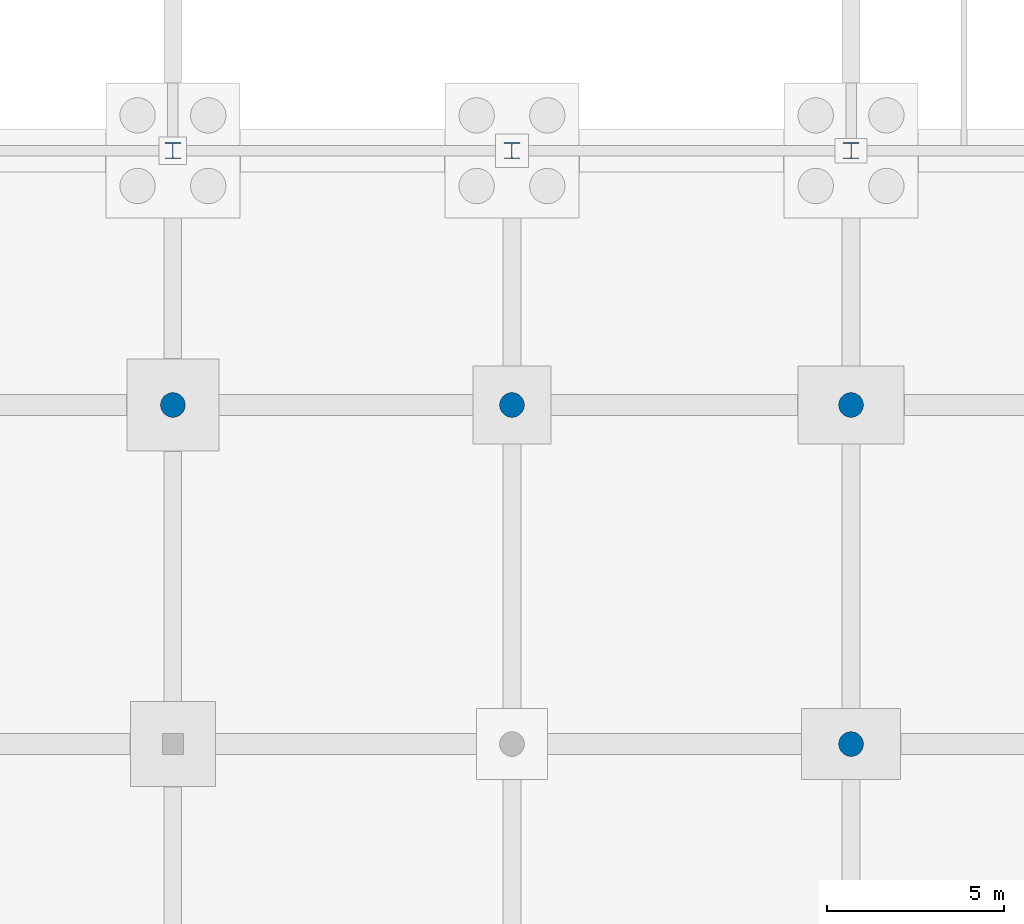
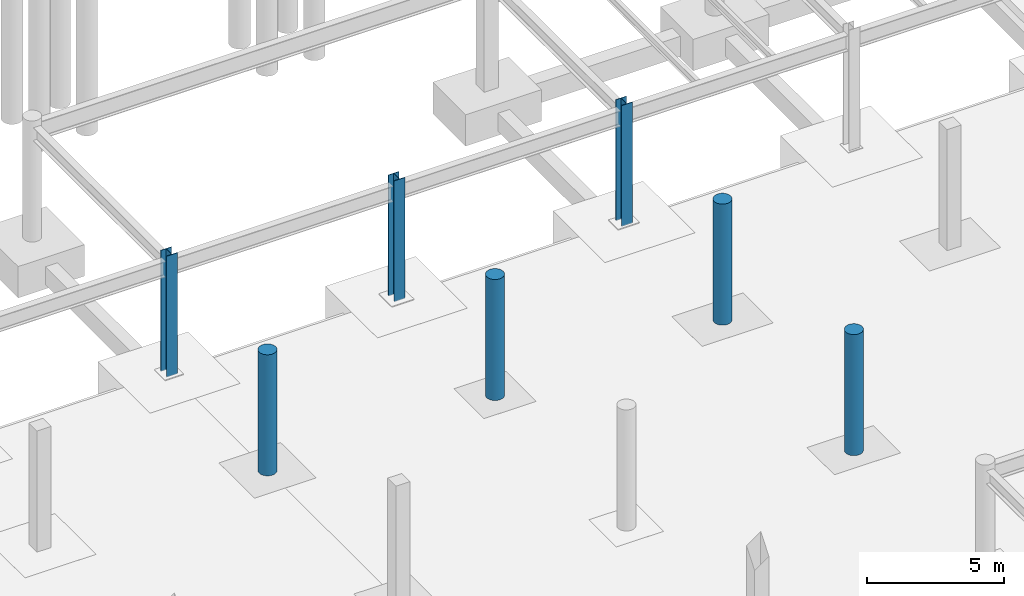
# One storey, part 16 of 50: 7 columns.
"""IFC4 building model written with IfcOpenShell, lengths in metres."""

import ifcopenshell
import ifcopenshell.guid

model = None  # the IFC model being written
_history = None  # IfcOwnerHistory: only IFC2X3 demands one
_inside = {}  # id of a spatial element -> (the spatial element, [elements in it])
_under = {}  # id of a project, library or spatial element -> (it, [spatial elements below it])
_declared = {}  # id of a project -> (the project, [libraries it declares])
_typed = {}  # id of a type object -> (the type object, [elements of that type])
_made_of = {}  # id of a material, layer set ... -> (it, [elements and type objects made of it])


def new_model(schema):
    """Start an empty IFC model of exactly this schema.

    Asked for "IFC4X3", IfcOpenShell would pick the latest addendum, in which some entities
    have other attributes; the version numbers below select the first issue.
    IFC2X3 requires an IfcOwnerHistory on every rooted entity: one is made here for all.
    """
    global model, _history
    if schema == "IFC4X3":
        model = ifcopenshell.file(schema_version=(4, 3, 0, 0))
    else:
        model = ifcopenshell.file(schema=schema)
    _inside.clear()
    _under.clear()
    _declared.clear()
    _typed.clear()
    _made_of.clear()
    _history = None
    if model.schema == "IFC2X3":
        org = make("IfcOrganization", Name="unknown")
        user = make(
            "IfcPersonAndOrganization",
            ThePerson=make("IfcPerson", FamilyName="unknown"),
            TheOrganization=org,
        )
        app = make(
            "IfcApplication",
            ApplicationDeveloper=org,
            Version="unknown",
            ApplicationFullName="unknown",
            ApplicationIdentifier="unknown",
        )
        _history = make(
            "IfcOwnerHistory",
            OwningUser=user,
            OwningApplication=app,
            ChangeAction="ADDED",
            CreationDate=0,
        )
    return model


def make(cls, **values):
    """One entity of the class cls with the attributes given. An attribute that is None is left unset."""
    return model.create_entity(
        cls, **{name: value for name, value in values.items() if value is not None}
    )


def rooted(cls, **values):
    """An entity with a GlobalId (a new one), such as an element, a storey or a relation."""
    return make(cls, GlobalId=ifcopenshell.guid.new(), OwnerHistory=_history, **values)


def si_unit(unit_type, name, prefix=None):
    """IfcSIUnit, for example si_unit("LENGTHUNIT", "METRE", prefix="MILLI")."""
    return make("IfcSIUnit", UnitType=unit_type, Prefix=prefix, Name=name)


def assignment(units):
    """IfcUnitAssignment: the units of a project."""
    return None if units is None else make("IfcUnitAssignment", Units=units)


def point(xyz):
    """IfcCartesianPoint."""
    return None if xyz is None else make("IfcCartesianPoint", Coordinates=xyz)


def direction(xyz):
    """IfcDirection."""
    return None if xyz is None else make("IfcDirection", DirectionRatios=xyz)


def frame(location, z_axis=None, x_axis=None):
    """IfcAxis2Placement3D, a coordinate frame: its origin and axes. An axis left out is left unset."""
    return make(
        "IfcAxis2Placement3D",
        Location=point(location),
        Axis=direction(z_axis),
        RefDirection=direction(x_axis),
    )


def frame_2d(location, x_axis=None):
    """IfcAxis2Placement2D, a coordinate frame in the plane: its origin and x axis."""
    return make(
        "IfcAxis2Placement2D", Location=point(location), RefDirection=direction(x_axis)
    )


def origin():
    """The frame at (0, 0, 0) with its axes left unset."""
    return frame((0.0, 0.0, 0.0))


def origin_2d():
    """The frame at (0, 0) in the plane with its x axis left unset."""
    return frame_2d((0.0, 0.0))


def place(relative_to, where):
    """IfcLocalPlacement: puts the frame where relative to a parent placement (None: the world)."""
    return make(
        "IfcLocalPlacement", PlacementRelTo=relative_to, RelativePlacement=where
    )


def context(
    kind, dimensions, precision=None, world=None, true_north=None, identifier=None
):
    """IfcGeometricRepresentationContext, for example the 3D "Model" context."""
    return make(
        "IfcGeometricRepresentationContext",
        ContextIdentifier=identifier,
        ContextType=kind,
        CoordinateSpaceDimension=dimensions,
        Precision=precision,
        WorldCoordinateSystem=world,
        TrueNorth=true_north,
    )


def subcontext(parent, identifier, kind, view, scale=None):
    """IfcGeometricRepresentationSubContext, for example "Body" below "Model"."""
    return make(
        "IfcGeometricRepresentationSubContext",
        ContextIdentifier=identifier,
        ContextType=kind,
        ParentContext=parent,
        TargetScale=scale,
        TargetView=view,
    )


def project(units=None, contexts=None):
    """IfcProject with its units and contexts."""
    return rooted(
        "IfcProject",
        Name="project",
        RepresentationContexts=contexts,
        UnitsInContext=assignment(units),
    )


def spatial(cls, under=None, at=None, **own):
    """A site, building, storey or space (cls), placed at a placement, below another one or the project."""
    s = rooted(cls, ObjectPlacement=at, **own)
    if under is not None:
        _under.setdefault(under.id(), (under, []))[1].append(s)
    return s


def profile(cls, at=None, kind="AREA", **sizes):
    """A parametric profile (cls). Its sizes go by their IFC names, for example OverallWidth=200.0."""
    return make(cls, ProfileType=kind, Position=at, **sizes)


def circle(**sizes):
    """IfcCircleProfileDef."""
    return profile("IfcCircleProfileDef", **sizes)


def i_section(**sizes):
    """IfcIShapeProfileDef."""
    return profile("IfcIShapeProfileDef", **sizes)


def extrude(swept, where, along, depth):
    """IfcExtrudedAreaSolid: the profile swept, set in the frame where, extruded along a direction by depth."""
    return make(
        "IfcExtrudedAreaSolid",
        SweptArea=swept,
        Position=where,
        ExtrudedDirection=direction(along),
        Depth=depth,
    )


def shape(context_of_items, identifier, shape_type, items):
    """IfcShapeRepresentation: the items that make up one representation, for example the "Body"."""
    return make(
        "IfcShapeRepresentation",
        ContextOfItems=context_of_items,
        RepresentationIdentifier=identifier,
        RepresentationType=shape_type,
        Items=items,
    )


def material(Name=None, Category=None):
    """IfcMaterial."""
    return make("IfcMaterial", Name=Name, Category=Category)


def material_profile(
    of_material, cross_section, Name=None, Category=None, Priority=None
):
    """IfcMaterialProfile: a cross section and its material."""
    return make(
        "IfcMaterialProfile",
        Name=Name,
        Material=of_material,
        Profile=cross_section,
        Priority=Priority,
        Category=Category,
    )


def profile_set(profiles, Name=None, composite=None):
    """IfcMaterialProfileSet."""
    return make(
        "IfcMaterialProfileSet",
        Name=Name,
        MaterialProfiles=profiles,
        CompositeProfile=composite,
    )


def made_of(thing, what):
    """Note that an element or type object is made of a material, layer set ...; save() writes the relation."""
    if what is not None:
        _made_of.setdefault(what.id(), (what, []))[1].append(thing)
    return thing


def type_object(cls, material=None, **own):
    """A type object (cls), such as IfcWallType, which elements share."""
    return made_of(rooted(cls, **own), material)


def element(
    cls,
    number,
    at=None,
    inside=None,
    cuts=None,
    type_object=None,
    material=None,
    context=None,
    identifier="Body",
    shape_type=None,
    held_by="IfcProductDefinitionShape",
    body=None,
    shapes=None,
    **own,
):
    """One element of the class cls, such as IfcWall. Its Tag is "e" and its number.

    at: its placement. inside: the storey or other place that contains it. cuts: it is an
    opening in that element (IfcRelVoidsElement). A single representation is given by context,
    identifier, shape_type and body (its items); several are given by shapes. held_by: the class
    of the entity that holds the representations. save() writes the other relations.
    """
    e = rooted(cls, Tag="e%d" % number, ObjectPlacement=at, **own)
    if body is not None:
        shapes = [shape(context, identifier, shape_type, body)]
    if shapes is not None:
        e.Representation = make(held_by, Representations=shapes)
    if inside is not None:
        _inside.setdefault(inside.id(), (inside, []))[1].append(e)
    if cuts is not None:
        rooted(
            "IfcRelVoidsElement", RelatingBuildingElement=cuts, RelatedOpeningElement=e
        )
    if type_object is not None:
        _typed.setdefault(type_object.id(), (type_object, []))[1].append(e)
    return made_of(e, material)


def aggregate(whole, parts):
    """IfcRelAggregates: a whole, such as a stair, and the parts it consists of."""
    return rooted("IfcRelAggregates", RelatingObject=whole, RelatedObjects=parts)


def save(model, path):
    """Write the relations noted so far, then the file.

    IfcRelAggregates (storeys below a building ...), IfcRelContainedInSpatialStructure (elements
    in a storey), IfcRelDefinesByType, IfcRelAssociatesMaterial and IfcRelDeclares: one each for
    every whole, place, type object, material and project.
    """
    for whole, parts in _under.values():
        aggregate(whole, parts)
    for where, things in _inside.values():
        rooted(
            "IfcRelContainedInSpatialStructure",
            RelatedElements=things,
            RelatingStructure=where,
        )
    for kind, things in _typed.values():
        rooted("IfcRelDefinesByType", RelatedObjects=things, RelatingType=kind)
    for what, things in _made_of.values():
        rooted("IfcRelAssociatesMaterial", RelatedObjects=things, RelatingMaterial=what)
    for by, libraries in _declared.values():
        rooted("IfcRelDeclares", RelatingContext=by, RelatedDefinitions=libraries)
    model.write(path)


model = new_model("IFC4")

# Units and contexts
model_context = context("Model", 3, precision=1e-05, world=origin(), true_north=direction((0.0, 1.0)))
body_context = subcontext(model_context, "Body", "Model", "MODEL_VIEW")
ifc_project = project(units=[si_unit("LENGTHUNIT", "METRE"), si_unit("AREAUNIT", "SQUARE_METRE"), si_unit("VOLUMEUNIT", "CUBIC_METRE"), si_unit("PLANEANGLEUNIT", "RADIAN"), si_unit("MASSUNIT", "GRAM", prefix="KILO")], contexts=[model_context])

# Site, building, storey
site_placement = place(None, origin())
site = spatial("IfcSite", under=ifc_project, at=site_placement, CompositionType="ELEMENT")
building_placement = place(site_placement, origin())
building = spatial("IfcBuilding", under=site, at=building_placement, Name="Yeouljin Market Hall", CompositionType="ELEMENT")
storey_placement = place(building_placement, frame((0.0, 0.0, -5.39990234375)))
storey = spatial("IfcBuildingStorey", under=building, at=storey_placement, Name="B1", CompositionType="ELEMENT", Elevation=-5.39990234375)

# Columns
ifc_material_1 = material(Name="Steel SM355", Category="steel")
ifc_material_profile_1 = material_profile(ifc_material_1, i_section(OverallWidth=0.449951171875, OverallDepth=0.449951171875, WebThickness=0.013916015625, FlangeThickness=0.02392578125, FilletRadius=0.02392578125, at=origin_2d()), Name="H-450x450x14x24")
ifc_profile_set_1 = profile_set([ifc_material_profile_1], Name="Steel SM355")
column_type_1 = type_object("IfcColumnType", Name="Col_H-450x450x14x24", PredefinedType="COLUMN", material=ifc_profile_set_1)
for number, where, z_axis, x_axis, name in (
    (1, (102.60009765625, 36.0, 0.0), (0.0, 0.0, 1.0), (1.0, 0.0, 0.0), "Column G-12-04 (B1)"),
    (2, (112.199951171875, 36.0, 0.0), (0.0, 0.0, 1.0), (1.0, 0.0, 0.0), "Column G-13-04 (B1)"),
    (3, (121.800048828125, 36.0, 0.0), (0.0, 0.0, 1.0), (1.0, 0.0, 0.0), "Column G-14-04 (B1)"),
):
    element("IfcColumn", number, at=place(storey_placement, frame(where, z_axis=z_axis, x_axis=x_axis)), inside=storey, type_object=column_type_1, Name=name, PredefinedType="COLUMN", context=body_context, shape_type="SweptSolid", body=[
        extrude(i_section(OverallWidth=0.449951171875, OverallDepth=0.449951171875, WebThickness=0.013916015625, FlangeThickness=0.02392578125, FilletRadius=0.02392578125, at=origin_2d()), origin(), (0.0, 0.0, 1.0), 5.39990234375),
    ])
ifc_material_2 = material(Name="Concrete C35/45", Category="concrete")
ifc_material_profile_2 = material_profile(ifc_material_2, circle(Radius=0.35009765625, at=origin_2d()), Name="RC-D700")
ifc_profile_set_2 = profile_set([ifc_material_profile_2], Name="Concrete C35/45")
column_type_2 = type_object("IfcColumnType", Name="Col_RC-D700", PredefinedType="COLUMN", material=ifc_profile_set_2)
for number, where, z_axis, x_axis, name in (
    (4, (102.60009765625, 28.800048828125, 0.0), (0.0, 0.0, 1.0), (1.0, 0.0, 0.0), "Column G-12-03 (B1)"),
    (5, (112.199951171875, 28.800048828125, 0.0), (0.0, 0.0, 1.0), (1.0, 0.0, 0.0), "Column G-13-03 (B1)"),
    (6, (121.800048828125, 19.199951171875, 0.0), (0.0, 0.0, 1.0), (1.0, 0.0, 0.0), "Column G-14-02 (B1)"),
    (7, (121.800048828125, 28.800048828125, 0.0), (0.0, 0.0, 1.0), (1.0, 0.0, 0.0), "Column G-14-03 (B1)"),
):
    element("IfcColumn", number, at=place(storey_placement, frame(where, z_axis=z_axis, x_axis=x_axis)), inside=storey, type_object=column_type_2, Name=name, PredefinedType="COLUMN", context=body_context, shape_type="SweptSolid", body=[
        extrude(circle(Radius=0.35009765625, at=origin_2d()), origin(), (0.0, 0.0, 1.0), 5.39990234375),
    ])

save(model, "model.ifc")
